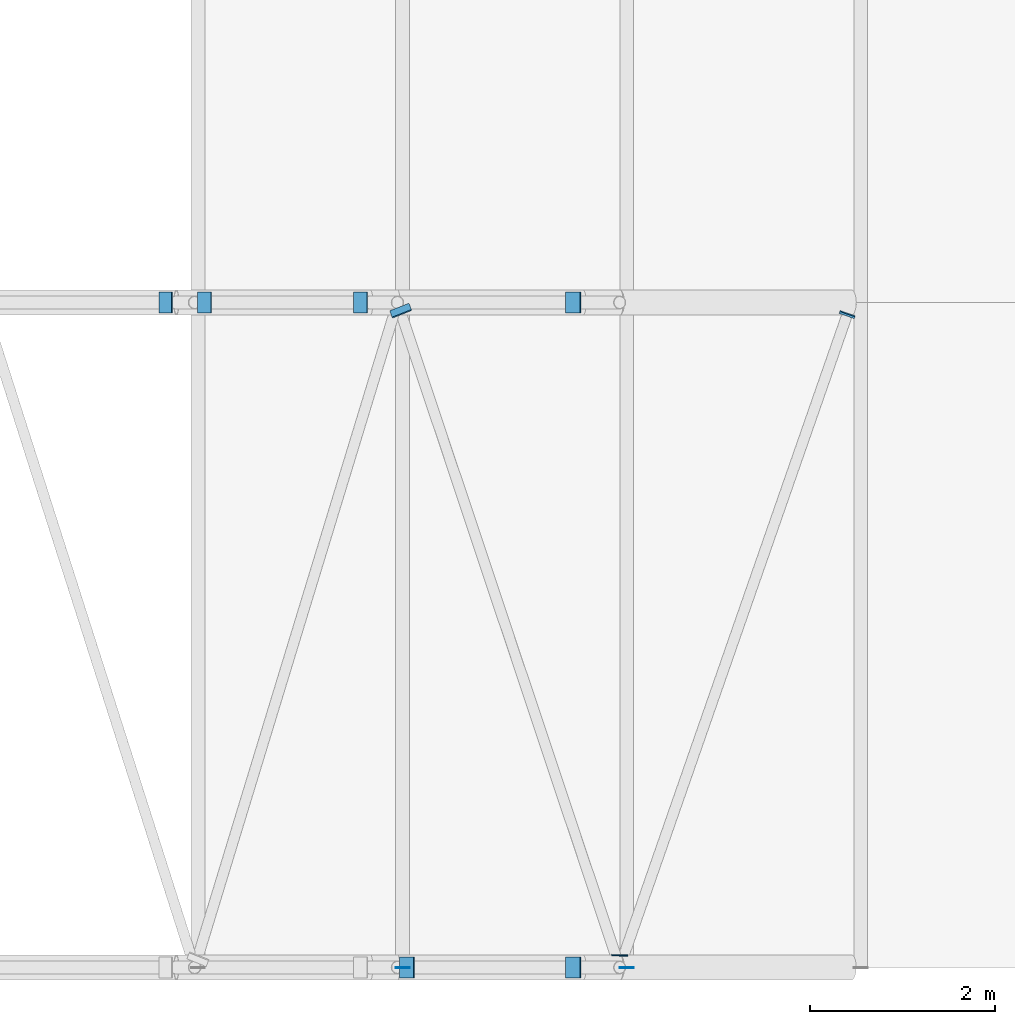
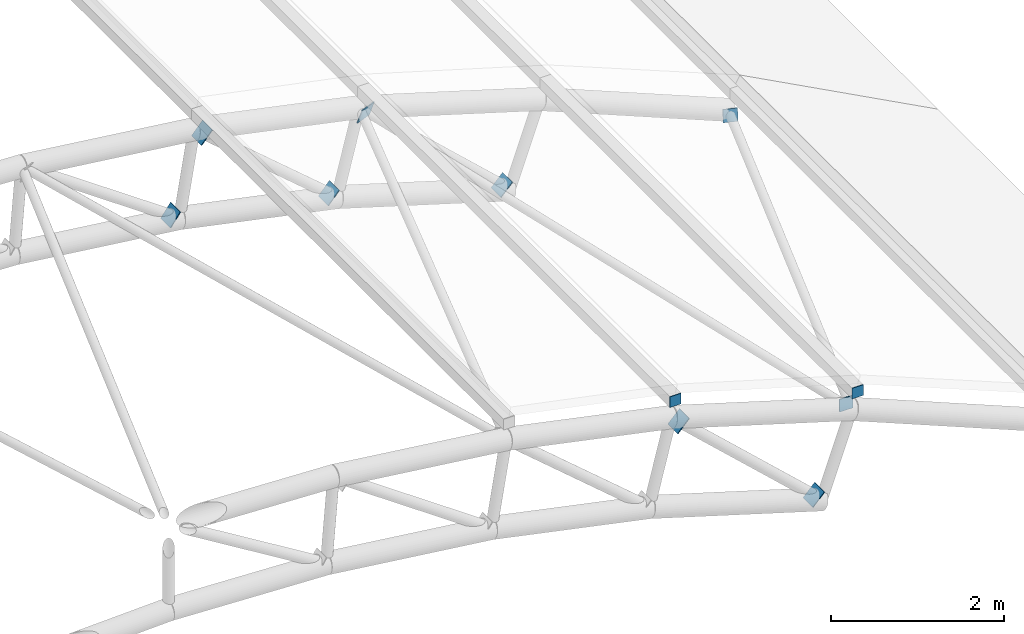
# One storey, part 73 of 92: 11 discrete accessories.
"""IFC4 building model written with IfcOpenShell, lengths in metres."""

from ifc_helpers import new_model, si_unit, direction, frame, origin, origin_2d, place, context, subcontext, project, spatial, rectangle, extrude, material, material_profile, profile_set, type_object, element, save


model = new_model("IFC4")

# Units and contexts
model_context = context("Model", 3, precision=1e-05, world=origin(), true_north=direction((0.0, 1.0)))
body_context = subcontext(model_context, "Body", "Model", "MODEL_VIEW")
ifc_project = project(units=[si_unit("LENGTHUNIT", "METRE"), si_unit("AREAUNIT", "SQUARE_METRE"), si_unit("VOLUMEUNIT", "CUBIC_METRE"), si_unit("PLANEANGLEUNIT", "RADIAN"), si_unit("MASSUNIT", "GRAM", prefix="KILO")], contexts=[model_context])

# Site, building, storey
site_placement = place(None, origin())
site = spatial("IfcSite", under=ifc_project, at=site_placement, CompositionType="ELEMENT")
building_placement = place(site_placement, origin())
building = spatial("IfcBuilding", under=site, at=building_placement, Name="Laocheng Heights Fire and Rescue Headquarters", CompositionType="ELEMENT")
storey_placement = place(building_placement, frame((0.0, 0.0, 12.60009765625)))
storey = spatial("IfcBuildingStorey", under=building, at=storey_placement, Name="L03", CompositionType="ELEMENT", Elevation=12.60009765625)

# Discrete accessories
ifc_material_1 = material(Name="Steel Q355B", Category="steel")
ifc_material_profile_1 = material_profile(ifc_material_1, rectangle(XDim=0.14990234375, YDim=0.14990234375, at=origin_2d()), Name="END CAP PLATE 150 x 150 x 8 FOR BAY ROOF PURLIN SHS 150x150x8")
ifc_profile_set_1 = profile_set([ifc_material_profile_1], Name="Steel Q355B")
discrete_accessory_type_1 = type_object("IfcDiscreteAccessoryType", Name="END CAP PLATE 150 x 150 x 8 FOR BAY ROOF PURLIN SHS 150x150x8", PredefinedType="BRACKET", material=ifc_profile_set_1)
for number, where, z_axis, x_axis, name in (
    (1, (42.75, -0.008056640625, 3.587890625), (0.0, 1.0, 0.0), (-1.0, 0.0, 0.0), "Cap plate at Purlin 12.1 end 1"),
    (2, (45.177490234375, -0.008056640625, 2.8583984375), (0.0, 1.0, 0.0), (-1.0, 0.0, 0.0), "Cap plate at Purlin 13.1 end 1"),
):
    element("IfcDiscreteAccessory", number, at=place(storey_placement, frame(where, z_axis=z_axis, x_axis=x_axis)), inside=storey, type_object=discrete_accessory_type_1, Name=name, PredefinedType="BRACKET", context=body_context, shape_type="SweptSolid", body=[
        extrude(rectangle(XDim=0.14990234375, YDim=0.14990234375, at=origin_2d()), origin(), (0.0, 0.0, 1.0), 0.008056640625),
    ])
ifc_material_2 = material(Name="Steel Q355B, dark grey painted", Category="steel")
ifc_material_profile_2 = material_profile(ifc_material_2, rectangle(XDim=0.175048828125, YDim=0.175048828125, at=origin_2d()), Name="GUSSET PLATE 175 x 175 x 12 FOR BAY ROOF BRACE CHS 114.3x5")
ifc_profile_set_2 = profile_set([ifc_material_profile_2], Name="Steel Q355B, dark grey painted")
discrete_accessory_type_2 = type_object("IfcDiscreteAccessoryType", Name="GUSSET PLATE 175 x 175 x 12 FOR BAY ROOF BRACE CHS 114.3x5", PredefinedType="BRACKET", material=ifc_profile_set_2)
discrete_accessory_1_placement = place(storey_placement, frame((47.5625, 7.0634765625, 1.62744140625), z_axis=(0.326055658376, 0.93741001783, -0.122270871891), x_axis=(-0.944496796706, 0.328520624941, 0.0)))
element("IfcDiscreteAccessory", 3, at=discrete_accessory_1_placement, inside=storey, type_object=discrete_accessory_type_2, Name="End plate at BR13 end 2", PredefinedType="BRACKET", context=body_context, shape_type="SweptSolid", body=[
    extrude(rectangle(XDim=0.175048828125, YDim=0.175048828125, at=origin_2d()), origin(), (0.0, 0.0, 1.0), 0.011962890625),
])
ifc_material_3 = material(Name="Steel Q355B, dark grey painted", Category="steel")
ifc_material_profile_3 = material_profile(ifc_material_3, rectangle(XDim=0.22509765625, YDim=0.22509765625, at=origin_2d()), Name="GUSSET PLATE 225 x 225 x 12 FOR BAY ROOF DIAG CHS 139.7x6")
ifc_profile_set_3 = profile_set([ifc_material_profile_3], Name="Steel Q355B, dark grey painted")
discrete_accessory_type_3 = type_object("IfcDiscreteAccessoryType", Name="GUSSET PLATE 225 x 225 x 12 FOR BAY ROOF DIAG CHS 139.7x6", PredefinedType="BRACKET", material=ifc_profile_set_3)
for number, where, z_axis, x_axis, name in (
    (4, (44.601806640625, 0.0, 1.597900390625), (-0.72701315255, 0.0, 0.686623532964), (0.0, -1.0, 0.0), "End plate at TR1-DG12 end 1"),
    (5, (42.801025390625, 0.0, 3.267578125), (-0.72701315255, 0.0, 0.686623532964), (0.0, -1.0, 0.0), "End plate at TR1-DG12 end 2"),
):
    element("IfcDiscreteAccessory", number, at=place(storey_placement, frame(where, z_axis=z_axis, x_axis=x_axis)), inside=storey, type_object=discrete_accessory_type_3, Name=name, PredefinedType="BRACKET", context=body_context, shape_type="SweptSolid", body=[
        extrude(rectangle(XDim=0.22509765625, YDim=0.22509765625, at=origin_2d()), origin(), (0.0, 0.0, 1.0), 0.01220703125),
    ])
for number, where, z_axis, x_axis, name in (
    (6, (40.190185546875, 7.199951171875, 2.719482421875), (-0.809610443394, 0.0, 0.586967571461), (0.0, -1.0, 0.0), "End plate at TR2-DG10 end 1"),
    (7, (42.298095703125, 7.199951171875, 2.289794921875), (-0.756363172452, 0.0, 0.654151932932), (0.0, -1.0, 0.0), "End plate at TR2-DG11 end 1"),
    (8, (40.60888671875, 7.199951171875, 3.732177734375), (-0.756363172452, 0.0, 0.654151932932), (0.0, -1.0, 0.0), "End plate at TR2-DG11 end 2"),
):
    element("IfcDiscreteAccessory", number, at=place(storey_placement, frame(where, z_axis=z_axis, x_axis=x_axis)), inside=storey, type_object=discrete_accessory_type_3, Name=name, PredefinedType="BRACKET", context=body_context, shape_type="SweptSolid", body=[
        extrude(rectangle(XDim=0.22509765625, YDim=0.22509765625, at=origin_2d()), origin(), (0.0, 0.0, 1.0), 0.011962890625),
    ])
discrete_accessory_2_placement = place(storey_placement, frame((44.601806640625, 7.199951171875, 1.597900390625), z_axis=(-0.72701315255, 0.0, 0.686623532964), x_axis=(0.0, -1.0, 0.0)))
element("IfcDiscreteAccessory", 9, at=discrete_accessory_2_placement, inside=storey, type_object=discrete_accessory_type_3, Name="End plate at TR2-DG12 end 1", PredefinedType="BRACKET", context=body_context, shape_type="SweptSolid", body=[
    extrude(rectangle(XDim=0.22509765625, YDim=0.22509765625, at=origin_2d()), origin(), (0.0, 0.0, 1.0), 0.01220703125),
])
ifc_material_4 = material(Name="Steel Q355B, dark grey painted", Category="steel")
ifc_material_profile_4 = material_profile(ifc_material_4, rectangle(XDim=0.175048828125, YDim=0.175048828125, at=origin_2d()), Name="NODE PLATE 175 x 175 x 12 FOR BAY ROOF BRACE CHS 114.3x5")
ifc_profile_set_4 = profile_set([ifc_material_profile_4], Name="Steel Q355B, dark grey painted")
discrete_accessory_type_4 = type_object("IfcDiscreteAccessoryType", Name="NODE PLATE 175 x 175 x 12 FOR BAY ROOF BRACE CHS 114.3x5", PredefinedType="BRACKET", material=ifc_profile_set_4)
discrete_accessory_3_placement = place(storey_placement, frame((45.1005859375, 0.12548828125, 2.63623046875), z_axis=(0.019992004797, 0.99960023984, -0.019992004797), x_axis=(-0.99980005998, 0.0199960012, 0.0)))
element("IfcDiscreteAccessory", 10, at=discrete_accessory_3_placement, inside=storey, type_object=discrete_accessory_type_4, Name="Node plate at BR12 end 1, BR13 end 1", PredefinedType="BRACKET", context=body_context, shape_type="SweptSolid", body=[
    extrude(rectangle(XDim=0.175048828125, YDim=0.175048828125, at=origin_2d()), origin(), (0.0, 0.0, 1.0), 0.01220703125),
])
ifc_material_5 = material(Name="Steel Q355B, dark grey painted", Category="steel")
ifc_material_profile_5 = material_profile(ifc_material_5, rectangle(XDim=0.22509765625, YDim=0.22509765625, at=origin_2d()), Name="NODE PLATE 225 x 225 x 12 FOR BAY ROOF BRACE CHS 114.3x5")
ifc_profile_set_5 = profile_set([ifc_material_profile_5], Name="Steel Q355B, dark grey painted")
discrete_accessory_type_5 = type_object("IfcDiscreteAccessoryType", Name="NODE PLATE 225 x 225 x 12 FOR BAY ROOF BRACE CHS 114.3x5", PredefinedType="BRACKET", material=ifc_profile_set_5)
discrete_accessory_4_placement = place(storey_placement, frame((42.727294921875, 7.11669921875, 3.33544921875), z_axis=(0.347445625708, -0.878833053262, -0.327007647725), x_axis=(0.929960720174, 0.367658889371, 0.0)))
element("IfcDiscreteAccessory", 11, at=discrete_accessory_4_placement, inside=storey, type_object=discrete_accessory_type_5, Name="Node plate at BR11 end 2, BR12 end 2, TR2-DG12 end 2", PredefinedType="BRACKET", context=body_context, shape_type="SweptSolid", body=[
    extrude(rectangle(XDim=0.22509765625, YDim=0.22509765625, at=origin_2d()), origin(), (0.0, 0.0, 1.0), 0.011962890625),
])

save(model, "model.ifc")
